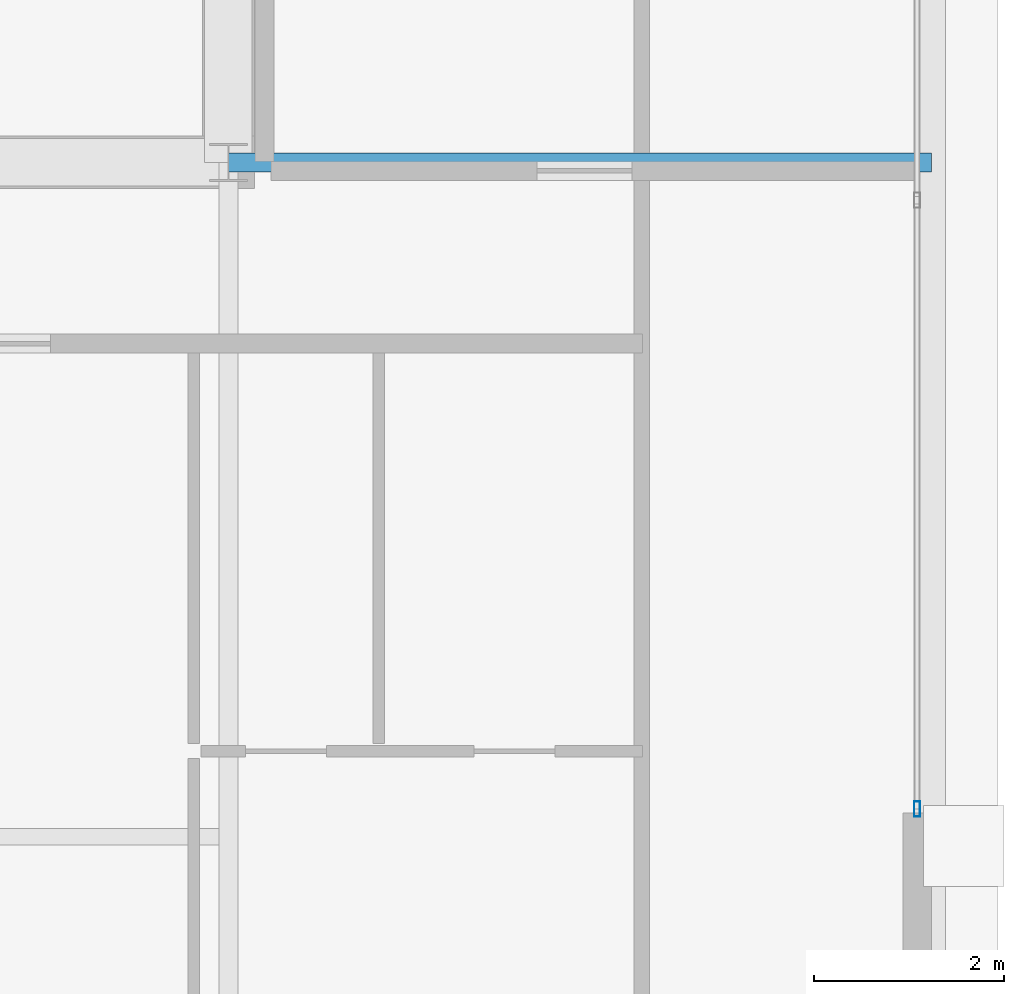
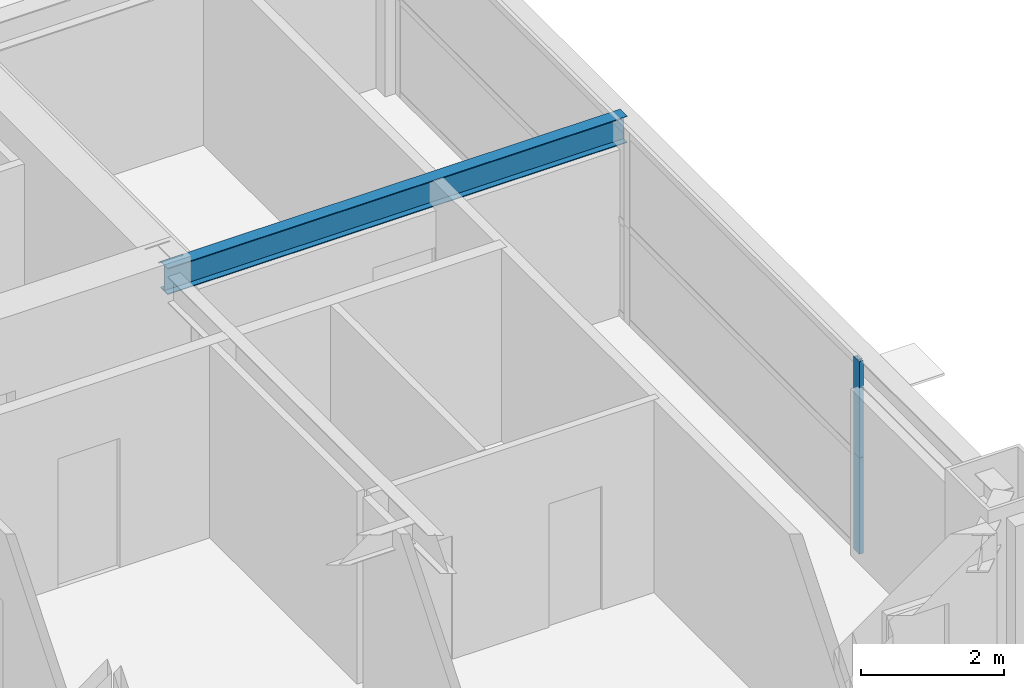
# One storey, part 17 of 36: 2 members, 1 beam, 1 element without a shape of its own.
"""IFC4 building model written with IfcOpenShell, lengths in metres."""

from ifc_helpers import new_model, si_unit, direction, frame, origin, origin_2d, place, context, subcontext, project, spatial, hollow_rectangle, i_section, extrude, source, transform, mapped, material, layer, layer_set, material_profile, profile_set, type_object, element, aggregate, save


model = new_model("IFC4")

# Units and contexts
model_context = context("Model", 3, precision=1e-05, world=origin(), true_north=direction((0.0, 1.0)))
body_context = subcontext(model_context, "Body", "Model", "MODEL_VIEW")
ifc_project = project(units=[si_unit("LENGTHUNIT", "METRE"), si_unit("AREAUNIT", "SQUARE_METRE"), si_unit("VOLUMEUNIT", "CUBIC_METRE"), si_unit("PLANEANGLEUNIT", "RADIAN"), si_unit("MASSUNIT", "GRAM", prefix="KILO"), si_unit("THERMODYNAMICTEMPERATUREUNIT", "KELVIN"), si_unit("POWERUNIT", "WATT")], contexts=[model_context])

# Site, building, storey
site_placement = place(None, origin())
site = spatial("IfcSite", under=ifc_project, at=site_placement, CompositionType="ELEMENT")
building_placement = place(site_placement, origin())
building = spatial("IfcBuilding", under=site, at=building_placement, Name="Yuzanri Waterfront Tower", CompositionType="ELEMENT")
storey_placement = place(building_placement, frame((0.0, 0.0, 224.10009765625)))
storey = spatial("IfcBuildingStorey", under=building, at=storey_placement, Name="L59", CompositionType="ELEMENT", Elevation=224.10009765625)

# Beam
ifc_material_1 = material(Name="Steel Q355B", Category="steel")
ifc_material_profile_1 = material_profile(ifc_material_1, i_section(OverallWidth=0.199951171875, OverallDepth=0.449951171875, WebThickness=0.009033203125, FlangeThickness=0.013916015625, at=origin_2d()), Name="HN 450x200x9x14")
ifc_profile_set_1 = profile_set([ifc_material_profile_1], Name="Steel Q355B")
beam_type = type_object("IfcBeamType", Name="Secondary Floor Beam Q355B HN 450x200", PredefinedType="BEAM", material=ifc_profile_set_1)
shared_shape_1 = source(origin(), body_context, "Body", "SweptSolid", [
    extrude(i_section(OverallWidth=0.199951171875, OverallDepth=0.449951171875, WebThickness=0.009033203125, FlangeThickness=0.013916015625, at=origin_2d()), origin(), (0.0, 0.0, 1.0), 7.400146484375),
])
beam_placement = place(storey_placement, frame((50.199951171875, 19.39990234375, 3.054931640625), z_axis=(1.0, 0.0, 0.0), x_axis=(0.0, 1.0, 0.0)))
element("IfcBeam", 1, at=beam_placement, inside=storey, type_object=beam_type, Name="L59 East-South Core Line Beam", PredefinedType="BEAM", context=body_context, shape_type="MappedRepresentation", body=[
    mapped(shared_shape_1, transform((0.0, 0.0, 0.0), scale=1.0)),
])

# Curtain wall, members
ifc_material_2 = material(Name="Anodized Architectural Bronze", Category="metal")
ifc_layer = layer(ifc_material_2, 0.159912109375)
ifc_layer_set = layer_set([ifc_layer], Name="Anodized Architectural Bronze")
curtain_wall_type = type_object("IfcCurtainWallType", Name="Anodized Bronze Mid-Rise Residential Acoustic Unitized Curtain Wall 7200", PredefinedType="NOTDEFINED", material=ifc_layer_set)
curtain_wall_placement = place(storey_placement, origin())
curtain_wall = element("IfcCurtainWall", 2, at=curtain_wall_placement, inside=storey, type_object=curtain_wall_type, Name="L59 Curtain Wall CW-L59-EL", PredefinedType="NOTDEFINED")
ifc_material_3 = material(Name="Anodized Architectural Bronze", Category="metal")
ifc_material_profile_2 = material_profile(ifc_material_3, hollow_rectangle(XDim=0.06494140625, YDim=0.159912109375, WallThickness=0.00341796875, at=origin_2d()), Name="CWM 65x160")
ifc_profile_set_2 = profile_set([ifc_material_profile_2], Name="Anodized Architectural Bronze")
member_type = type_object("IfcMemberType", Name="Anodized Bronze Upper-Zone Curtain-Wall Mullion 65x160", PredefinedType="MULLION", material=ifc_profile_set_2)
shared_shape_2 = source(origin(), body_context, "Body", "SweptSolid", [
    extrude(hollow_rectangle(XDim=0.06494140625, YDim=0.159912109375, WallThickness=0.00341796875, at=origin_2d()), origin(), (0.0, 0.0, 1.0), 1.637939453125),
])
member_1_placement = place(storey_placement, frame((57.449951171875, 12.590087890625, 0.0), z_axis=(0.0, 0.0, 1.0), x_axis=(1.0, 0.0, 0.0)))
member_1 = element("IfcMember", 3, at=member_1_placement, type_object=member_type, Name="CW-L59-EL Lower Mullion 00", PredefinedType="MULLION", context=body_context, shape_type="MappedRepresentation", body=[
    mapped(shared_shape_2, transform((0.0, 0.0, 0.0), scale=1.0)),
])
member_2_placement = place(storey_placement, frame((57.449951171875, 12.590087890625, 1.641845703125), z_axis=(0.0, 0.0, 1.0), x_axis=(1.0, 0.0, 0.0)))
member_2 = element("IfcMember", 4, at=member_2_placement, type_object=member_type, Name="CW-L59-EL Upper Mullion 00", PredefinedType="MULLION", context=body_context, shape_type="MappedRepresentation", body=[
    mapped(shared_shape_2, transform((0.0, 0.0, 0.0), scale=1.0)),
])
aggregate(curtain_wall, [member_1, member_2])

save(model, "model.ifc")
